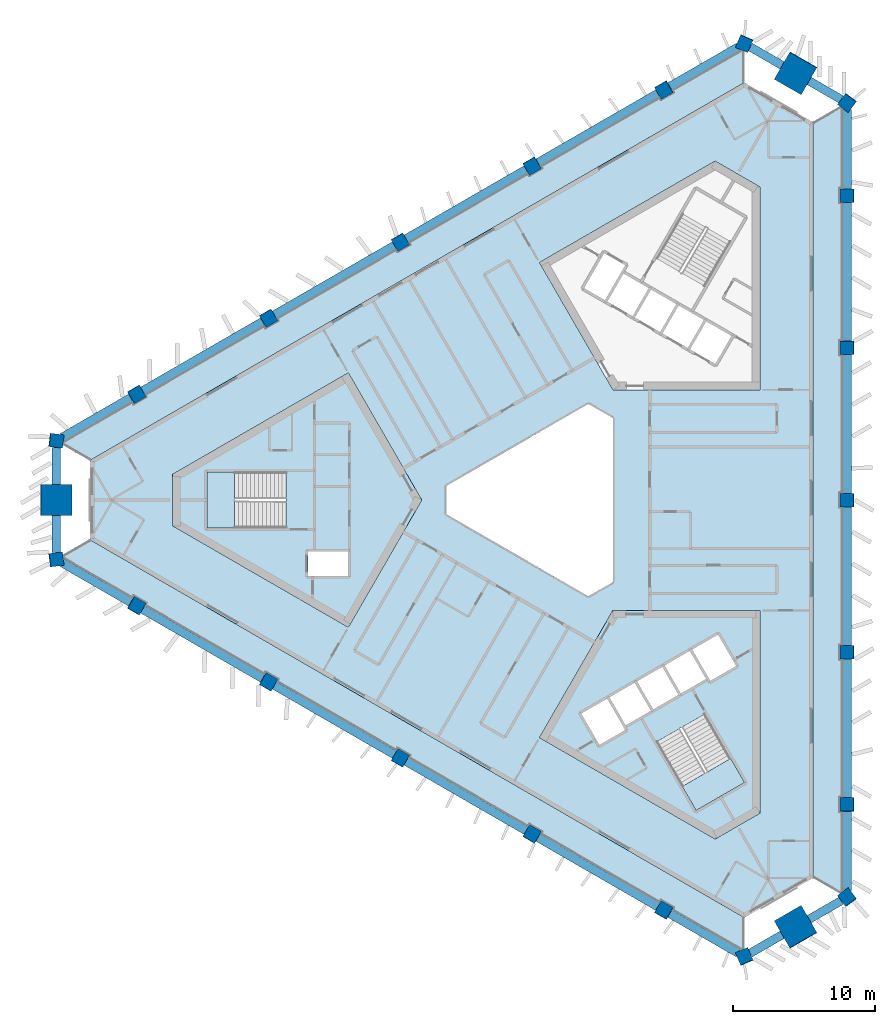
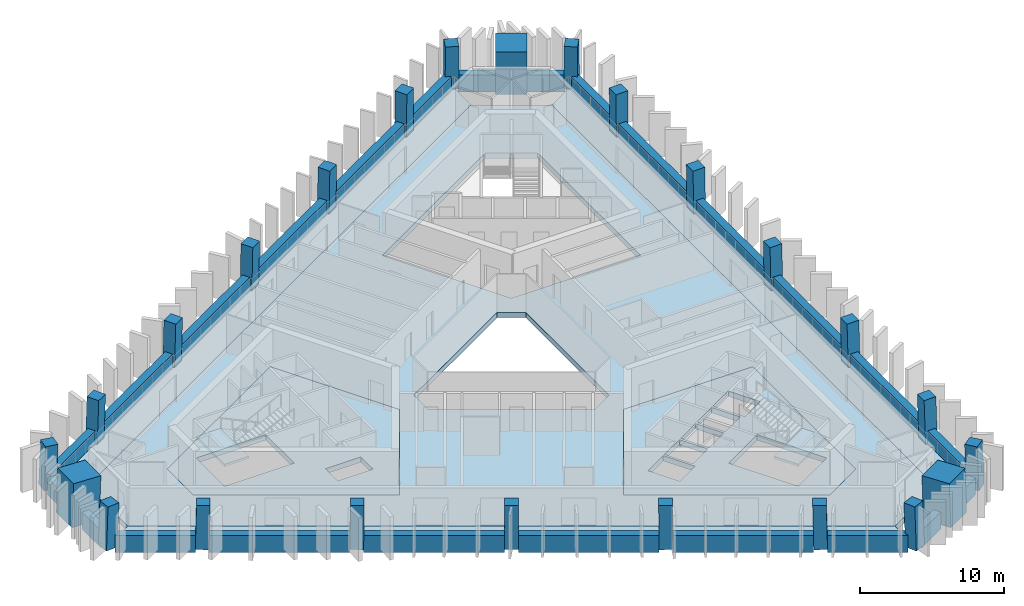
# One storey, part 1 of 10: 24 beams, 24 columns, 8 slabs, 2 elements without a shape of their own.
"""IFC4 building model written with IfcOpenShell, lengths in metres."""

from ifc_helpers import new_model, si_unit, direction, frame, origin, origin_2d, place, context, subcontext, project, spatial, polyline, rectangle, outline, extrude, material, layer, layer_set, material_profile, profile_set, type_object, element, aggregate, save


model = new_model("IFC4")

# Units and contexts
model_context = context("Model", 3, precision=1e-05, world=origin(), true_north=direction((0.0, 1.0)))
body_context = subcontext(model_context, "Body", "Model", "MODEL_VIEW")
ifc_project = project(units=[si_unit("LENGTHUNIT", "METRE"), si_unit("AREAUNIT", "SQUARE_METRE"), si_unit("VOLUMEUNIT", "CUBIC_METRE"), si_unit("PLANEANGLEUNIT", "RADIAN"), si_unit("MASSUNIT", "GRAM", prefix="KILO")], contexts=[model_context])

# Site, building, storey
site_placement = place(None, origin())
site = spatial("IfcSite", under=ifc_project, at=site_placement, CompositionType="ELEMENT")
building_placement = place(site_placement, origin())
building = spatial("IfcBuilding", under=site, at=building_placement, Name="Jabali Bay Hotel Tower and Convention Centre", CompositionType="ELEMENT")
storey_placement = place(building_placement, frame((0.0, 0.0, 178.5)))
storey = spatial("IfcBuildingStorey", under=building, at=storey_placement, Name="L43", CompositionType="ELEMENT", Elevation=178.5)

# Columns
ifc_material_1 = material(Name="Concrete C60", Category="concrete")
ifc_material_profile_1 = material_profile(ifc_material_1, rectangle(XDim=0.949951171875, YDim=0.949951171875, at=origin_2d()), Name="Frame column 950")
ifc_profile_set_1 = profile_set([ifc_material_profile_1], Name="Concrete C60")
column_type_1 = type_object("IfcColumnType", Name="Frame column 950", PredefinedType="COLUMN", material=ifc_profile_set_1)
column_1_placement = place(storey_placement, frame((83.1044921875, 108.98779296875, 0.0), z_axis=(-0.00837646992, -0.028097450282, 0.999570091609), x_axis=(0.86617163682, 0.499292783589, 0.021293469065)))
element("IfcColumn", 1, at=column_1_placement, inside=storey, type_object=column_type_1, Name="FC4 F1.1 L43", PredefinedType="COLUMN", context=body_context, shape_type="SweptSolid", body=[
    extrude(rectangle(XDim=0.949951171875, YDim=0.949951171875, at=origin_2d()), origin(), (0.0, 0.0, 1.0), 3.70166015625),
])
column_2_placement = place(storey_placement, frame((73.789306640625, 103.609619140625, 0.0), z_axis=(0.000857580205, -0.022758859284, 0.9997406158), x_axis=(0.866005831592, 0.499920732377, 0.010637715398)))
element("IfcColumn", 2, at=column_2_placement, inside=storey, type_object=column_type_1, Name="FC4 F1.2 L43", PredefinedType="COLUMN", context=body_context, shape_type="SweptSolid", body=[
    extrude(rectangle(XDim=0.949951171875, YDim=0.949951171875, at=origin_2d()), origin(), (0.0, 0.0, 1.0), 3.700927734375),
])
column_3_placement = place(storey_placement, frame((64.47412109375, 98.2314453125, 0.0), z_axis=(0.010093620709, -0.017482414954, 0.999796221231), x_axis=(-0.499897086036, 0.865849517735, 0.020187025824)))
element("IfcColumn", 3, at=column_3_placement, inside=storey, type_object=column_type_1, Name="FC4 F1.3 L43", PredefinedType="COLUMN", context=body_context, shape_type="SweptSolid", body=[
    extrude(rectangle(XDim=0.949951171875, YDim=0.949951171875, at=origin_2d()), origin(), (0.0, 0.0, 1.0), 3.70068359375),
])
column_4_placement = place(storey_placement, frame((55.15869140625, 92.853271484375, 0.0), z_axis=(0.019328516974, -0.012138044789, 0.999739504221), x_axis=(-0.500208848309, 0.865669585777, 0.020181088508)))
element("IfcColumn", 4, at=column_4_placement, inside=storey, type_object=column_type_1, Name="FC4 F1.4 L43", PredefinedType="COLUMN", context=body_context, shape_type="SweptSolid", body=[
    extrude(rectangle(XDim=0.949951171875, YDim=0.949951171875, at=origin_2d()), origin(), (0.0, 0.0, 1.0), 3.700927734375),
])
for number, where, z_axis, x_axis, name in (
    (5, (45.843505859375, 87.47509765625, 0.0), (0.02855911485, -0.006793507689, 0.999569019734), (-0.500403943304, 0.865556851294, 0.020179957977), "FC4 F1.5 L43"),
    (6, (45.843505859375, 72.52490234375, 0.0), (0.02855911485, 0.006793507689, 0.999569019734), (-0.865320906072, 0.500764600817, 0.021320039488), "FC4 F2.1 L43"),
):
    element("IfcColumn", number, at=place(storey_placement, frame(where, z_axis=z_axis, x_axis=x_axis)), inside=storey, type_object=column_type_1, Name=name, PredefinedType="COLUMN", context=body_context, shape_type="SweptSolid", body=[
        extrude(rectangle(XDim=0.949951171875, YDim=0.949951171875, at=origin_2d()), origin(), (0.0, 0.0, 1.0), 3.70166015625),
    ])
column_5_placement = place(storey_placement, frame((55.15869140625, 67.146728515625, 0.0), z_axis=(0.019328516974, 0.012138044789, 0.999739504221), x_axis=(-0.865689041461, 0.500468616527, 0.010660551878)))
element("IfcColumn", 7, at=column_5_placement, inside=storey, type_object=column_type_1, Name="FC4 F2.2 L43", PredefinedType="COLUMN", context=body_context, shape_type="SweptSolid", body=[
    extrude(rectangle(XDim=0.949951171875, YDim=0.949951171875, at=origin_2d()), origin(), (0.0, 0.0, 1.0), 3.700927734375),
])
column_6_placement = place(storey_placement, frame((64.47412109375, 61.7685546875, 0.0), z_axis=(0.010093620709, 0.017482414954, 0.999796221231), x_axis=(-0.866025993948, 0.499998977805, 1.48331e-07)))
element("IfcColumn", 8, at=column_6_placement, inside=storey, type_object=column_type_1, Name="FC4 F2.3 L43", PredefinedType="COLUMN", context=body_context, shape_type="SweptSolid", body=[
    extrude(rectangle(XDim=0.949951171875, YDim=0.949951171875, at=origin_2d()), origin(), (0.0, 0.0, 1.0), 3.70068359375),
])
column_7_placement = place(storey_placement, frame((73.789306640625, 56.390380859375, 0.0), z_axis=(0.000857580205, 0.022758859284, 0.9997406158), x_axis=(-0.500033163106, -0.865772080668, 0.020138026985)))
element("IfcColumn", 9, at=column_7_placement, inside=storey, type_object=column_type_1, Name="FC4 F2.4 L43", PredefinedType="COLUMN", context=body_context, shape_type="SweptSolid", body=[
    extrude(rectangle(XDim=0.949951171875, YDim=0.949951171875, at=origin_2d()), origin(), (0.0, 0.0, 1.0), 3.700927734375),
])
for number, where, z_axis, x_axis, name in (
    (10, (83.1044921875, 51.01220703125, 0.0), (-0.00837646992, 0.028097450282, 0.999570091609), (-0.49967642562, -0.865977626468, 0.020154903518), "FC4 F2.5 L43"),
    (11, (96.052001953125, 58.4873046875, 0.0), (-0.020182659751, 0.021303918626, 0.999569308901), (0.000228267203, -0.99977282903, 0.021312865295), "FC4 F0.1 L43"),
):
    element("IfcColumn", number, at=place(storey_placement, frame(where, z_axis=z_axis, x_axis=x_axis)), inside=storey, type_object=column_type_1, Name=name, PredefinedType="COLUMN", context=body_context, shape_type="SweptSolid", body=[
        extrude(rectangle(XDim=0.949951171875, YDim=0.949951171875, at=origin_2d()), origin(), (0.0, 0.0, 1.0), 3.70166015625),
    ])
column_8_placement = place(storey_placement, frame((96.052001953125, 69.24365234375, 0.0), z_axis=(-0.020186088539, 0.010686752756, 0.999739123544), x_axis=(-0.001023376713, -0.999942568771, 0.010668264128)))
element("IfcColumn", 12, at=column_8_placement, inside=storey, type_object=column_type_1, Name="FC4 F0.2 L43", PredefinedType="COLUMN", context=body_context, shape_type="SweptSolid", body=[
    extrude(rectangle(XDim=0.949951171875, YDim=0.949951171875, at=origin_2d()), origin(), (0.0, 0.0, 1.0), 3.700927734375),
])
column_9_placement = place(storey_placement, frame((96.052001953125, 80.0, 0.0), z_axis=(-0.020187241331, 0.0, 0.99979621688), x_axis=(0.0, -1.0, 0.0)))
element("IfcColumn", 13, at=column_9_placement, inside=storey, type_object=column_type_1, Name="FC4 F0.3 L43", PredefinedType="COLUMN", context=body_context, shape_type="SweptSolid", body=[
    extrude(rectangle(XDim=0.949951171875, YDim=0.949951171875, at=origin_2d()), origin(), (0.0, 0.0, 1.0), 3.70068359375),
])
column_10_placement = place(storey_placement, frame((96.052001953125, 90.75634765625, 0.0), z_axis=(-0.020186088539, -0.010686752756, 0.999739123544), x_axis=(0.999795716399, 0.000807759214, 0.020195865801)))
element("IfcColumn", 14, at=column_10_placement, inside=storey, type_object=column_type_1, Name="FC4 F0.4 L43", PredefinedType="COLUMN", context=body_context, shape_type="SweptSolid", body=[
    extrude(rectangle(XDim=0.949951171875, YDim=0.949951171875, at=origin_2d()), origin(), (0.0, 0.0, 1.0), 3.700927734375),
])
column_11_placement = place(storey_placement, frame((96.052001953125, 101.5126953125, 0.0), z_axis=(-0.020182659751, -0.021303918626, 0.999569308901), x_axis=(0.999796283319, -0.000658319199, 0.020173211851)))
element("IfcColumn", 15, at=column_11_placement, inside=storey, type_object=column_type_1, Name="FC4 F0.5 L43", PredefinedType="COLUMN", context=body_context, shape_type="SweptSolid", body=[
    extrude(rectangle(XDim=0.949951171875, YDim=0.949951171875, at=origin_2d()), origin(), (0.0, 0.0, 1.0), 3.70166015625),
])
for number, where, z_axis, x_axis, name in (
    (16, (96.052001953125, 51.925048828125, 0.0), (-0.02017878048, 0.028949296179, 0.999377183584), (-0.79952431013, -0.600632418272, 0.001255242014), "FC4 V0 L43"),
    (17, (96.052001953125, 108.074951171875, 0.0), (-0.02017878048, -0.028949296179, 0.999377183584), (0.600294672915, 0.799001024012, 0.035265695774), "FC4 V1 L43"),
    (18, (88.787841796875, 112.26904296875, 0.0), (-0.015035141917, -0.031982648376, 0.99937533225), (0.919539964314, -0.392994495497, 0.001257194427), "FC4 V2 L43"),
    (19, (40.160400390625, 84.194091796875, 0.0), (0.035213880193, -0.00303340541, 0.999375195356), (-0.992005918844, 0.121147091903, 0.03532193513), "FC4 V3 L43"),
    (20, (40.160400390625, 75.805908203125, 0.0), (0.035213880193, 0.00303340541, 0.999375195356), (-0.121178544387, 0.992629931331, 0.001256903059), "FC4 V4 L43"),
    (21, (88.787841796875, 47.73095703125, 0.0), (-0.015035141917, 0.031982648376, 0.99937533225), (0.392708796103, -0.918984459451, 0.035318051359), "FC4 V5 L43"),
):
    element("IfcColumn", number, at=place(storey_placement, frame(where, z_axis=z_axis, x_axis=x_axis)), inside=storey, type_object=column_type_1, Name=name, PredefinedType="COLUMN", context=body_context, shape_type="SweptSolid", body=[
        extrude(rectangle(XDim=0.949951171875, YDim=0.949951171875, at=origin_2d()), origin(), (0.0, 0.0, 1.0), 3.7021484375),
    ])
ifc_material_2 = material(Name="Concrete C70", Category="concrete")
ifc_material_profile_2 = material_profile(ifc_material_2, rectangle(XDim=2.199951171875, YDim=2.199951171875, at=origin_2d()), Name="Mega column 2200")
ifc_profile_set_2 = profile_set([ifc_material_profile_2], Name="Concrete C70")
column_type_2 = type_object("IfcColumnType", Name="Mega column 2200", PredefinedType="COLUMN", material=ifc_profile_set_2)
for number, where, z_axis, x_axis, name in (
    (22, (92.419921875, 110.172119140625, 0.0), (-0.017607001884, -0.030531992032, 0.999378702468), (0.499253360369, 0.865738917404, 0.035244986208), "MC4 M1 L43"),
    (23, (40.160400390625, 80.0, 0.0), (0.035214042205, 0.0, 0.999379793288), (0.0, 1.0, 0.0), "MC4 M0 L43"),
    (24, (92.419921875, 49.827880859375, 0.0), (-0.017607001884, 0.030531992032, 0.999378702468), (-0.86627713559, -0.499563734027, 1.3287e-07), "MC4 M2 L43"),
):
    element("IfcColumn", number, at=place(storey_placement, frame(where, z_axis=z_axis, x_axis=x_axis)), inside=storey, type_object=column_type_2, Name=name, PredefinedType="COLUMN", context=body_context, shape_type="SweptSolid", body=[
        extrude(rectangle(XDim=2.199951171875, YDim=2.199951171875, at=origin_2d()), origin(), (0.0, 0.0, 1.0), 3.7021484375),
    ])

# Beams
ifc_material_profile_3 = material_profile(ifc_material_1, rectangle(XDim=0.60009765625, YDim=1.449951171875, at=origin_2d()), Name="Spandrel 600x1450")
ifc_profile_set_3 = profile_set([ifc_material_profile_3], Name="Concrete C60")
beam_type = type_object("IfcBeamType", Name="Spandrel 600x1450", PredefinedType="SPANDREL", material=ifc_profile_set_3)
beam_1_placement = place(storey_placement, frame((91.460693359375, 110.710693359375, 0.375), z_axis=(-0.866059804009, 0.499940412328, 0.0), x_axis=(-0.499940412328, -0.866059804009, 0.0)))
element("IfcBeam", 25, at=beam_1_placement, inside=storey, type_object=beam_type, Name="Spandrel M1-V2 L43", PredefinedType="SPANDREL", context=body_context, shape_type="SweptSolid", body=[
    extrude(rectangle(XDim=0.60009765625, YDim=1.449951171875, at=origin_2d()), origin(), (0.0, 0.0, 1.0), 2.617919921875),
])
beam_2_placement = place(storey_placement, frame((88.370849609375, 112.01953125, 0.375), z_axis=(-0.866038463512, -0.499977379206, 0.0), x_axis=(0.499977379206, -0.866038463512, 0.0)))
element("IfcBeam", 26, at=beam_2_placement, inside=storey, type_object=beam_type, Name="Spandrel V2-F1.1 L43", PredefinedType="SPANDREL", context=body_context, shape_type="SweptSolid", body=[
    extrude(rectangle(XDim=0.60009765625, YDim=1.449951171875, at=origin_2d()), origin(), (0.0, 0.0, 1.0), 5.609619140625),
])
beam_3_placement = place(storey_placement, frame((82.690185546875, 108.73974609375, 0.375), z_axis=(-0.866032128568, -0.499988352151, 0.0), x_axis=(0.499988352151, -0.866032128568, 0.0)))
element("IfcBeam", 27, at=beam_3_placement, inside=storey, type_object=beam_type, Name="Spandrel F1.1-F1.2 L43", PredefinedType="SPANDREL", context=body_context, shape_type="SweptSolid", body=[
    extrude(rectangle(XDim=0.60009765625, YDim=1.449951171875, at=origin_2d()), origin(), (0.0, 0.0, 1.0), 9.802490234375),
])
beam_4_placement = place(storey_placement, frame((73.378173828125, 103.363525390625, 0.375), z_axis=(-0.866025902152, -0.499999136801, 0.0), x_axis=(0.499999136801, -0.866025902152, 0.0)))
element("IfcBeam", 28, at=beam_4_placement, inside=storey, type_object=beam_type, Name="Spandrel F1.2-F1.3 L43", PredefinedType="SPANDREL", context=body_context, shape_type="SweptSolid", body=[
    extrude(rectangle(XDim=0.60009765625, YDim=1.449951171875, at=origin_2d()), origin(), (0.0, 0.0, 1.0), 9.80224609375),
])
beam_5_placement = place(storey_placement, frame((64.06640625, 97.987548828125, 0.375), z_axis=(-0.866015117242, -0.500017816391, 0.0), x_axis=(0.500017816391, -0.866015117242, 0.0)))
element("IfcBeam", 29, at=beam_5_placement, inside=storey, type_object=beam_type, Name="Spandrel F1.3-F1.4 L43", PredefinedType="SPANDREL", context=body_context, shape_type="SweptSolid", body=[
    extrude(rectangle(XDim=0.60009765625, YDim=1.449951171875, at=origin_2d()), origin(), (0.0, 0.0, 1.0), 9.802490234375),
])
beam_6_placement = place(storey_placement, frame((54.754638671875, 92.611328125, 0.375), z_axis=(-0.866025902152, -0.499999136801, 0.0), x_axis=(0.499999136801, -0.866025902152, 0.0)))
element("IfcBeam", 30, at=beam_6_placement, inside=storey, type_object=beam_type, Name="Spandrel F1.4-F1.5 L43", PredefinedType="SPANDREL", context=body_context, shape_type="SweptSolid", body=[
    extrude(rectangle(XDim=0.60009765625, YDim=1.449951171875, at=origin_2d()), origin(), (0.0, 0.0, 1.0), 9.80224609375),
])
beam_7_placement = place(storey_placement, frame((45.44287109375, 87.235107421875, 0.375), z_axis=(-0.866027583454, -0.499996224682, 0.0), x_axis=(0.499996224682, -0.866027583454, 0.0)))
element("IfcBeam", 31, at=beam_7_placement, inside=storey, type_object=beam_type, Name="Spandrel F1.5-V3 L43", PredefinedType="SPANDREL", context=body_context, shape_type="SweptSolid", body=[
    extrude(rectangle(XDim=0.60009765625, YDim=1.449951171875, at=origin_2d()), origin(), (0.0, 0.0, 1.0), 5.609375),
])
for number, where, z_axis, x_axis, name in (
    (32, (40.173583984375, 83.7177734375, 0.375), (0.0, -1.0, 0.0), (1.0, 0.0, 0.0), "Spandrel V3-M0 L43"),
    (33, (40.173583984375, 78.89990234375, 0.375), (0.0, -1.0, 0.0), (1.0, 0.0, 0.0), "Spandrel M0-V4 L43"),
):
    element("IfcBeam", number, at=place(storey_placement, frame(where, z_axis=z_axis, x_axis=x_axis)), inside=storey, type_object=beam_type, Name=name, PredefinedType="SPANDREL", context=body_context, shape_type="SweptSolid", body=[
        extrude(rectangle(XDim=0.60009765625, YDim=1.449951171875, at=origin_2d()), origin(), (0.0, 0.0, 1.0), 2.61767578125),
    ])
beam_8_placement = place(storey_placement, frame((40.5849609375, 75.569580078125, 0.375), z_axis=(0.866027583454, -0.499996224682, 0.0), x_axis=(0.499996224682, 0.866027583454, 0.0)))
element("IfcBeam", 34, at=beam_8_placement, inside=storey, type_object=beam_type, Name="Spandrel V4-F2.1 L43", PredefinedType="SPANDREL", context=body_context, shape_type="SweptSolid", body=[
    extrude(rectangle(XDim=0.60009765625, YDim=1.449951171875, at=origin_2d()), origin(), (0.0, 0.0, 1.0), 5.609375),
])
beam_9_placement = place(storey_placement, frame((46.265625, 72.289794921875, 0.375), z_axis=(0.866025902152, -0.499999136801, 0.0), x_axis=(0.499999136801, 0.866025902152, 0.0)))
element("IfcBeam", 35, at=beam_9_placement, inside=storey, type_object=beam_type, Name="Spandrel F2.1-F2.2 L43", PredefinedType="SPANDREL", context=body_context, shape_type="SweptSolid", body=[
    extrude(rectangle(XDim=0.60009765625, YDim=1.449951171875, at=origin_2d()), origin(), (0.0, 0.0, 1.0), 9.80224609375),
])
beam_10_placement = place(storey_placement, frame((55.577392578125, 66.913818359375, 0.375), z_axis=(0.866015117242, -0.500017816391, 0.0), x_axis=(0.500017816391, 0.866015117242, 0.0)))
element("IfcBeam", 36, at=beam_10_placement, inside=storey, type_object=beam_type, Name="Spandrel F2.2-F2.3 L43", PredefinedType="SPANDREL", context=body_context, shape_type="SweptSolid", body=[
    extrude(rectangle(XDim=0.60009765625, YDim=1.449951171875, at=origin_2d()), origin(), (0.0, 0.0, 1.0), 9.802490234375),
])
beam_11_placement = place(storey_placement, frame((64.88916015625, 61.53759765625, 0.375), z_axis=(0.866025902152, -0.499999136801, 0.0), x_axis=(0.499999136801, 0.866025902152, 0.0)))
element("IfcBeam", 37, at=beam_11_placement, inside=storey, type_object=beam_type, Name="Spandrel F2.3-F2.4 L43", PredefinedType="SPANDREL", context=body_context, shape_type="SweptSolid", body=[
    extrude(rectangle(XDim=0.60009765625, YDim=1.449951171875, at=origin_2d()), origin(), (0.0, 0.0, 1.0), 9.80224609375),
])
beam_12_placement = place(storey_placement, frame((74.200927734375, 56.161376953125, 0.375), z_axis=(0.866032128568, -0.499988352151, 0.0), x_axis=(0.499988352151, 0.866032128568, 0.0)))
element("IfcBeam", 38, at=beam_12_placement, inside=storey, type_object=beam_type, Name="Spandrel F2.4-F2.5 L43", PredefinedType="SPANDREL", context=body_context, shape_type="SweptSolid", body=[
    extrude(rectangle(XDim=0.60009765625, YDim=1.449951171875, at=origin_2d()), origin(), (0.0, 0.0, 1.0), 9.802490234375),
])
beam_13_placement = place(storey_placement, frame((83.5126953125, 50.78515625, 0.375), z_axis=(0.866038463512, -0.499977379206, 0.0), x_axis=(0.499977379206, 0.866038463512, 0.0)))
element("IfcBeam", 39, at=beam_13_placement, inside=storey, type_object=beam_type, Name="Spandrel F2.5-V5 L43", PredefinedType="SPANDREL", context=body_context, shape_type="SweptSolid", body=[
    extrude(rectangle(XDim=0.60009765625, YDim=1.449951171875, at=origin_2d()), origin(), (0.0, 0.0, 1.0), 5.609619140625),
])
beam_14_placement = place(storey_placement, frame((89.193359375, 47.98046875, 0.375), z_axis=(0.866059804009, 0.499940412328, 0.0), x_axis=(-0.499940412328, 0.866059804009, 0.0)))
element("IfcBeam", 40, at=beam_14_placement, inside=storey, type_object=beam_type, Name="Spandrel V5-M2 L43", PredefinedType="SPANDREL", context=body_context, shape_type="SweptSolid", body=[
    extrude(rectangle(XDim=0.60009765625, YDim=1.449951171875, at=origin_2d()), origin(), (0.0, 0.0, 1.0), 2.617919921875),
])
beam_15_placement = place(storey_placement, frame((93.365966796875, 50.389404296875, 0.375), z_axis=(0.866036492975, 0.499980792466, 0.0), x_axis=(-0.499980792466, 0.866036492975, 0.0)))
element("IfcBeam", 41, at=beam_15_placement, inside=storey, type_object=beam_type, Name="Spandrel M2-V0 L43", PredefinedType="SPANDREL", context=body_context, shape_type="SweptSolid", body=[
    extrude(rectangle(XDim=0.60009765625, YDim=1.449951171875, at=origin_2d()), origin(), (0.0, 0.0, 1.0), 2.61767578125),
])
beam_16_placement = place(storey_placement, frame((96.04443359375, 52.410888671875, 0.375), z_axis=(0.0, 1.0, 0.0), x_axis=(-1.0, 0.0, 0.0)))
element("IfcBeam", 42, at=beam_16_placement, inside=storey, type_object=beam_type, Name="Spandrel V0-F0.1 L43", PredefinedType="SPANDREL", context=body_context, shape_type="SweptSolid", body=[
    extrude(rectangle(XDim=0.60009765625, YDim=1.449951171875, at=origin_2d()), origin(), (0.0, 0.0, 1.0), 5.609375),
])
beam_17_placement = place(storey_placement, frame((96.04443359375, 58.97021484375, 0.375), z_axis=(0.0, 1.0, 0.0), x_axis=(-1.0, 0.0, 0.0)))
element("IfcBeam", 43, at=beam_17_placement, inside=storey, type_object=beam_type, Name="Spandrel F0.1-F0.2 L43", PredefinedType="SPANDREL", context=body_context, shape_type="SweptSolid", body=[
    extrude(rectangle(XDim=0.60009765625, YDim=1.449951171875, at=origin_2d()), origin(), (0.0, 0.0, 1.0), 9.802490234375),
])
for number, where, z_axis, x_axis, name in (
    (44, (96.04443359375, 69.72265625, 0.375), (0.0, 1.0, 0.0), (-1.0, 0.0, 0.0), "Spandrel F0.2-F0.3 L43"),
    (45, (96.04443359375, 80.47509765625, 0.375), (0.0, 1.0, 0.0), (-1.0, 0.0, 0.0), "Spandrel F0.3-F0.4 L43"),
):
    element("IfcBeam", number, at=place(storey_placement, frame(where, z_axis=z_axis, x_axis=x_axis)), inside=storey, type_object=beam_type, Name=name, PredefinedType="SPANDREL", context=body_context, shape_type="SweptSolid", body=[
        extrude(rectangle(XDim=0.60009765625, YDim=1.449951171875, at=origin_2d()), origin(), (0.0, 0.0, 1.0), 9.80224609375),
    ])
beam_18_placement = place(storey_placement, frame((96.04443359375, 91.227294921875, 0.375), z_axis=(0.0, 1.0, 0.0), x_axis=(-1.0, 0.0, 0.0)))
element("IfcBeam", 46, at=beam_18_placement, inside=storey, type_object=beam_type, Name="Spandrel F0.4-F0.5 L43", PredefinedType="SPANDREL", context=body_context, shape_type="SweptSolid", body=[
    extrude(rectangle(XDim=0.60009765625, YDim=1.449951171875, at=origin_2d()), origin(), (0.0, 0.0, 1.0), 9.802490234375),
])
beam_19_placement = place(storey_placement, frame((96.04443359375, 101.979736328125, 0.375), z_axis=(0.0, 1.0, 0.0), x_axis=(-1.0, 0.0, 0.0)))
element("IfcBeam", 47, at=beam_19_placement, inside=storey, type_object=beam_type, Name="Spandrel F0.5-V1 L43", PredefinedType="SPANDREL", context=body_context, shape_type="SweptSolid", body=[
    extrude(rectangle(XDim=0.60009765625, YDim=1.449951171875, at=origin_2d()), origin(), (0.0, 0.0, 1.0), 5.609375),
])
beam_20_placement = place(storey_placement, frame((95.633056640625, 108.3017578125, 0.375), z_axis=(-0.866036492975, 0.499980792466, 0.0), x_axis=(-0.499980792466, -0.866036492975, 0.0)))
element("IfcBeam", 48, at=beam_20_placement, inside=storey, type_object=beam_type, Name="Spandrel V1-M1 L43", PredefinedType="SPANDREL", context=body_context, shape_type="SweptSolid", body=[
    extrude(rectangle(XDim=0.60009765625, YDim=1.449951171875, at=origin_2d()), origin(), (0.0, 0.0, 1.0), 2.61767578125),
])

# Slabs
ifc_material_3 = material(Name="Concrete C40", Category="concrete")
ifc_layer_1 = layer(ifc_material_3, 0.449951171875)
ifc_layer_set_1 = layer_set([ifc_layer_1], Name="Concrete C40")
slab_type_1 = type_object("IfcSlabType", Name="Core floor slab 450", PredefinedType="FLOOR", material=ifc_layer_set_1)
slab_1_placement = place(storey_placement, frame((0.0, 0.0, -0.449951171875)))
element("IfcSlab", 49, at=slab_1_placement, inside=storey, type_object=slab_type_1, Name="Core floor slab 1 L43", PredefinedType="FLOOR", context=body_context, shape_type="SweptSolid", body=[
    extrude(outline(polyline([(66.0, 80.0), (60.81005859375, 88.9892578125), (48.39697265625, 81.82275390625), (48.39697265625, 78.17724609375), (60.81005859375, 71.0107421875), (66.0, 80.0)]), holes=[polyline([(60.800048828125, 76.35009765625), (57.949951171875, 76.35009765625), (57.949951171875, 74.64990234375), (60.800048828125, 74.64990234375), (60.800048828125, 76.35009765625)]), polyline([(50.820068359375, 81.97509765625), (50.820068359375, 78.02490234375), (56.409912109375, 78.02490234375), (56.409912109375, 81.97509765625), (50.820068359375, 81.97509765625)])]), origin(), (0.0, 0.0, 1.0), 0.449951171875),
])
slab_2_placement = place(storey_placement, frame((0.0, 0.0, -0.449951171875)))
element("IfcSlab", 50, at=slab_2_placement, inside=storey, type_object=slab_type_1, Name="Core floor slab 3 L43", PredefinedType="FLOOR", context=body_context, shape_type="SweptSolid", body=[
    extrude(outline(polyline([(79.5, 72.205810546875), (74.31005859375, 63.21630859375), (86.72314453125, 56.0498046875), (89.8798828125, 57.872314453125), (89.8798828125, 72.205810546875), (79.5, 72.205810546875)]), holes=[polyline([(82.584716796875, 62.9130859375), (85.379638671875, 58.072021484375), (88.80029296875, 60.047119140625), (86.00537109375, 64.88818359375), (82.584716796875, 62.9130859375)]), polyline([(80.365478515625, 63.756591796875), (79.090576171875, 65.96484375), (77.27197265625, 64.9150390625), (78.546875, 62.70654296875), (80.365478515625, 63.756591796875)]), polyline([(82.17919921875, 65.115478515625), (81.0390625, 67.08984375), (79.263671875, 66.06494140625), (80.40380859375, 64.09033203125), (82.17919921875, 65.115478515625)]), polyline([(82.98779296875, 68.21484375), (81.21240234375, 67.18994140625), (82.352294921875, 65.21533203125), (84.127685546875, 66.240478515625), (82.98779296875, 68.21484375)]), polyline([(86.076171875, 67.365478515625), (84.936279296875, 69.33984375), (83.160888671875, 68.31494140625), (84.30078125, 66.34033203125), (86.076171875, 67.365478515625)]), polyline([(88.203125, 68.281494140625), (86.927978515625, 70.489990234375), (85.109375, 69.43994140625), (86.384521484375, 67.231689453125), (88.203125, 68.281494140625)])]), origin(), (0.0, 0.0, 1.0), 0.449951171875),
])
ifc_layer_2 = layer(ifc_material_3, 0.199951171875)
ifc_layer_set_2 = layer_set([ifc_layer_2], Name="Concrete C40")
slab_type_2 = type_object("IfcSlabType", Name="Loggia slab 200", PredefinedType="FLOOR", material=ifc_layer_set_2)
slab_3_placement = place(storey_placement, frame((0.0, 0.0, -0.199951171875)))
element("IfcSlab", 51, at=slab_3_placement, inside=storey, type_object=slab_type_2, Name="Loggia slab east face L43", PredefinedType="FLOOR", context=body_context, shape_type="SweptSolid", body=[
    extrude(outline(polyline([(93.65185546875, 106.689453125), (95.6044921875, 107.81689453125), (95.751953125, 107.706298828125), (95.751953125, 101.98779296875), (95.576904296875, 101.98779296875), (95.576904296875, 101.03759765625), (95.751953125, 101.03759765625), (95.751953125, 91.2314453125), (95.576904296875, 91.2314453125), (95.576904296875, 90.28125), (95.751953125, 90.28125), (95.751953125, 80.47509765625), (95.576904296875, 80.47509765625), (95.576904296875, 79.52490234375), (95.751953125, 79.52490234375), (95.751953125, 69.71875), (95.576904296875, 69.71875), (95.576904296875, 68.7685546875), (95.751953125, 68.7685546875), (95.751953125, 58.96240234375), (95.576904296875, 58.96240234375), (95.576904296875, 58.01220703125), (95.751953125, 58.01220703125), (95.751953125, 52.293701171875), (95.6044921875, 52.18310546875), (93.65185546875, 53.310546875), (93.65185546875, 106.689453125)])), origin(), (0.0, 0.0, 1.0), 0.199951171875),
])
slab_4_placement = place(storey_placement, frame((0.0, 0.0, -0.199951171875)))
element("IfcSlab", 52, at=slab_4_placement, inside=storey, type_object=slab_type_2, Name="Loggia slab north-west face L43", PredefinedType="FLOOR", context=body_context, shape_type="SweptSolid", body=[
    extrude(outline(polyline([(42.560302734375, 82.808349609375), (40.607666015625, 83.935791015625), (40.629638671875, 84.11865234375), (45.58203125, 86.977783203125), (45.669677734375, 86.826416015625), (46.492431640625, 87.30126953125), (46.40478515625, 87.452880859375), (54.8974609375, 92.35595703125), (54.98486328125, 92.20458984375), (55.8076171875, 92.679443359375), (55.72021484375, 92.8310546875), (64.212646484375, 97.734130859375), (64.300048828125, 97.582763671875), (65.122802734375, 98.0576171875), (65.035400390625, 98.209228515625), (73.52783203125, 103.1123046875), (73.615478515625, 102.9609375), (74.438232421875, 103.435791015625), (74.3505859375, 103.58740234375), (82.84326171875, 108.490478515625), (82.9306640625, 108.339111328125), (83.75341796875, 108.81396484375), (83.666015625, 108.965576171875), (88.618408203125, 111.824951171875), (88.787841796875, 111.75244140625), (88.787841796875, 109.497802734375), (42.560302734375, 82.808349609375)])), origin(), (0.0, 0.0, 1.0), 0.199951171875),
])
slab_5_placement = place(storey_placement, frame((0.0, 0.0, -0.199951171875)))
element("IfcSlab", 53, at=slab_5_placement, inside=storey, type_object=slab_type_2, Name="Loggia slab south-west face L43", PredefinedType="FLOOR", context=body_context, shape_type="SweptSolid", body=[
    extrude(outline(polyline([(88.787841796875, 50.502197265625), (88.787841796875, 48.24755859375), (88.618408203125, 48.175048828125), (83.666015625, 51.034423828125), (83.75341796875, 51.18603515625), (82.9306640625, 51.660888671875), (82.84326171875, 51.509521484375), (74.3505859375, 56.41259765625), (74.438232421875, 56.564208984375), (73.615478515625, 57.0390625), (73.52783203125, 56.8876953125), (65.035400390625, 61.790771484375), (65.122802734375, 61.9423828125), (64.300048828125, 62.417236328125), (64.212646484375, 62.265869140625), (55.72021484375, 67.1689453125), (55.8076171875, 67.320556640625), (54.98486328125, 67.79541015625), (54.8974609375, 67.64404296875), (46.40478515625, 72.547119140625), (46.492431640625, 72.69873046875), (45.669677734375, 73.173583984375), (45.58203125, 73.022216796875), (40.629638671875, 75.88134765625), (40.607666015625, 76.064208984375), (42.560302734375, 77.191650390625), (88.787841796875, 50.502197265625)])), origin(), (0.0, 0.0, 1.0), 0.199951171875),
])
ifc_layer_3 = layer(ifc_material_3, 0.449951171875)
ifc_layer_set_3 = layer_set([ifc_layer_3], Name="Concrete C40")
slab_type_3 = type_object("IfcSlabType", Name="Post-tensioned flat slab 450", PredefinedType="FLOOR", material=ifc_layer_set_3)
slab_6_placement = place(storey_placement, frame((0.0, 0.0, -0.449951171875)))
element("IfcSlab", 54, at=slab_6_placement, inside=storey, type_object=slab_type_3, Name="Floor slab L43", PredefinedType="FLOOR", context=body_context, shape_type="SweptSolid", body=[
    extrude(outline(polyline([(88.787841796875, 109.497802734375), (93.65185546875, 106.689453125), (93.65185546875, 53.310546875), (88.787841796875, 50.502197265625), (42.560302734375, 77.191650390625), (42.560302734375, 82.808349609375), (88.787841796875, 109.497802734375)]), holes=[polyline([(67.73193359375, 79.0), (77.76806640625, 73.205810546875), (79.5, 74.205810546875), (79.5, 85.794189453125), (77.76806640625, 86.794189453125), (67.73193359375, 81.0), (67.73193359375, 79.0)]), polyline([(48.39697265625, 78.17724609375), (60.81005859375, 71.0107421875), (66.0, 80.0), (60.81005859375, 88.9892578125), (48.39697265625, 81.82275390625), (48.39697265625, 78.17724609375)]), polyline([(89.8798828125, 102.127685546875), (86.72314453125, 103.9501953125), (74.31005859375, 96.78369140625), (79.5, 87.794189453125), (89.8798828125, 87.794189453125), (89.8798828125, 102.127685546875)]), polyline([(74.31005859375, 63.21630859375), (86.72314453125, 56.0498046875), (89.8798828125, 57.872314453125), (89.8798828125, 72.205810546875), (79.5, 72.205810546875), (74.31005859375, 63.21630859375)])]), origin(), (0.0, 0.0, 1.0), 0.449951171875),
])

# Stair, slab
stair_type = type_object("IfcStairType", Name="Exit stair 1900", PredefinedType="HALF_TURN_STAIR", material=ifc_material_3)
stair_1_placement = place(storey_placement, origin())
stair_1 = element("IfcStair", 55, at=stair_1_placement, inside=storey, type_object=stair_type, Name="L43 Exit Stair 1", PredefinedType="HALF_TURN_STAIR")
ifc_layer_4 = layer(ifc_material_3, 0.199951171875)
ifc_layer_set_4 = layer_set([ifc_layer_4], Name="Concrete C40")
slab_type_4 = type_object("IfcSlabType", Name="Stair landing 200", PredefinedType="LANDING", material=ifc_layer_set_4)
slab_7_placement = place(storey_placement, frame((0.0, 0.0, 1.64990234375)))
slab_7 = element("IfcSlab", 56, at=slab_7_placement, type_object=slab_type_4, Name="ST1 landing 1", PredefinedType="LANDING", context=body_context, shape_type="SweptSolid", body=[
    extrude(outline(polyline([(52.782958984375, 81.97509765625), (50.820068359375, 81.97509765625), (50.820068359375, 78.02490234375), (52.782958984375, 78.02490234375), (52.782958984375, 81.97509765625)])), origin(), (0.0, 0.0, 1.0), 0.2001953125),
])
aggregate(stair_1, [slab_7])

stair_2_placement = place(storey_placement, origin())
stair_2 = element("IfcStair", 57, at=stair_2_placement, inside=storey, type_object=stair_type, Name="L43 Exit Stair 3", PredefinedType="HALF_TURN_STAIR")
slab_8_placement = place(storey_placement, frame((0.0, 0.0, 1.64990234375)))
slab_8 = element("IfcSlab", 58, at=slab_8_placement, type_object=slab_type_4, Name="ST3 landing 1", PredefinedType="LANDING", context=body_context, shape_type="SweptSolid", body=[
    extrude(outline(polyline([(84.398193359375, 59.77197265625), (85.379638671875, 58.072021484375), (88.80029296875, 60.047119140625), (87.81884765625, 61.7470703125), (84.398193359375, 59.77197265625)])), origin(), (0.0, 0.0, 1.0), 0.2001953125),
])
aggregate(stair_2, [slab_8])

save(model, "model.ifc")
